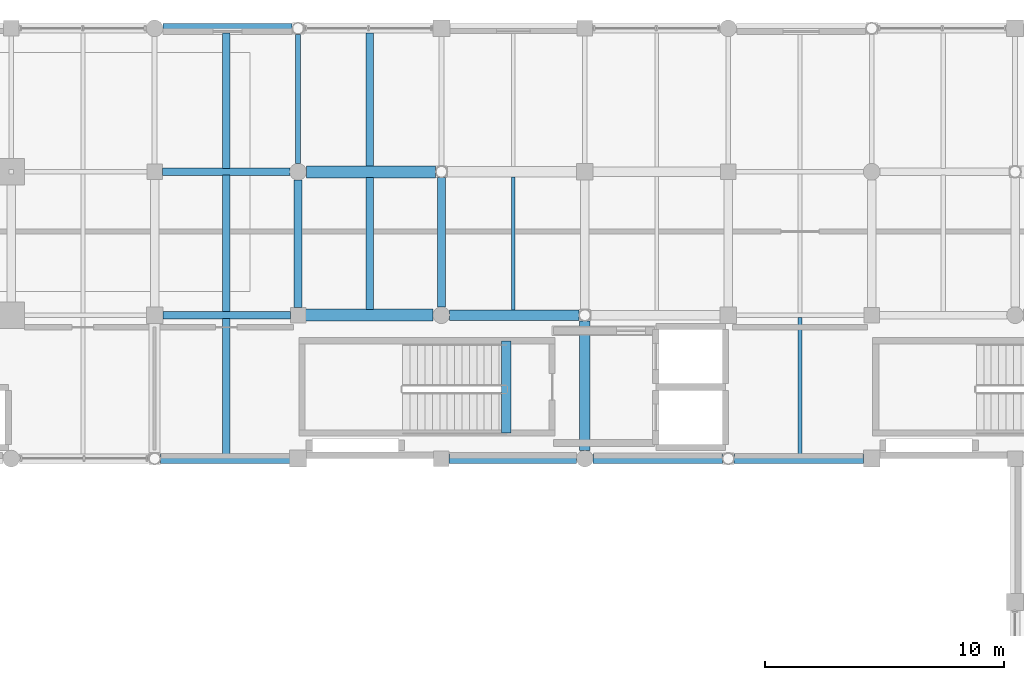
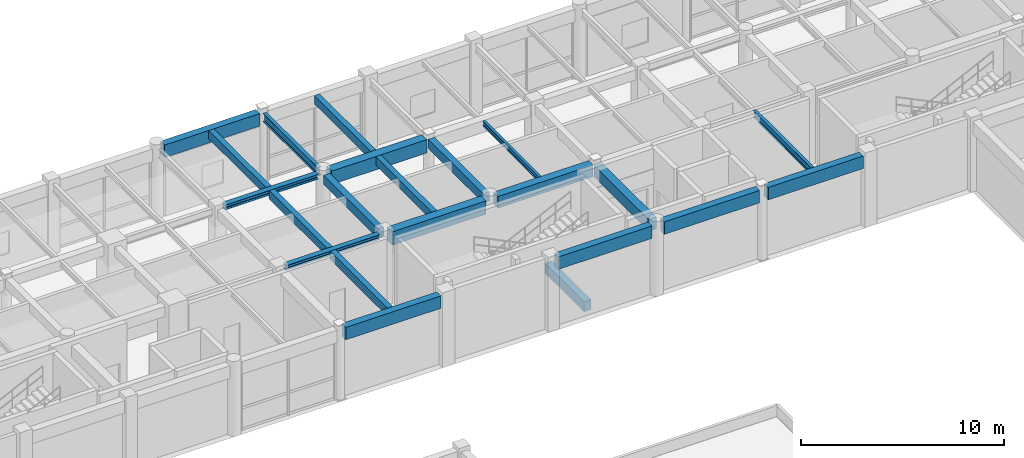
# One storey, part 67 of 116: 22 beams.
"""IFC4 building model written with IfcOpenShell, lengths in metres."""

from ifc_helpers import new_model, si_unit, direction, frame, origin, origin_2d, place, context, subcontext, project, spatial, rectangle, i_section, extrude, material, material_profile, profile_set, type_object, element, save


model = new_model("IFC4")

# Units and contexts
model_context = context("Model", 3, precision=1e-05, world=origin(), true_north=direction((0.0, 1.0)))
body_context = subcontext(model_context, "Body", "Model", "MODEL_VIEW")
ifc_project = project(units=[si_unit("LENGTHUNIT", "METRE"), si_unit("AREAUNIT", "SQUARE_METRE"), si_unit("VOLUMEUNIT", "CUBIC_METRE"), si_unit("PLANEANGLEUNIT", "RADIAN"), si_unit("MASSUNIT", "GRAM", prefix="KILO"), si_unit("THERMODYNAMICTEMPERATUREUNIT", "KELVIN"), si_unit("POWERUNIT", "WATT")], contexts=[model_context])

# Site, building, storey
site_placement = place(None, origin())
site = spatial("IfcSite", under=ifc_project, at=site_placement, CompositionType="ELEMENT")
building_placement = place(site_placement, origin())
building = spatial("IfcBuilding", under=site, at=building_placement, Name="Phaisarnlok Congress Hotel", CompositionType="ELEMENT")
storey_placement = place(building_placement, frame((0.0, 0.0, 10.5)))
storey = spatial("IfcBuildingStorey", under=building, at=storey_placement, Name="L02", CompositionType="ELEMENT", Elevation=10.5)

# Beams
ifc_material_1 = material(Name="Concrete C40/50", Category="concrete")
ifc_material_profile_1 = material_profile(ifc_material_1, rectangle(XDim=0.35009765625, YDim=0.550048828125, at=origin_2d()), Name="RC 350x550")
ifc_profile_set_1 = profile_set([ifc_material_profile_1], Name="Concrete C40/50")
beam_type_1 = type_object("IfcBeamType", Name="BM-RC-350x550", PredefinedType="BEAM", material=ifc_profile_set_1)
beam_1_placement = place(storey_placement, frame((132.0, 114.320068359375, 3.965087890625), z_axis=(0.0, 1.0, 0.0), x_axis=(-1.0, 0.0, 0.0)))
element("IfcBeam", 1, at=beam_1_placement, inside=storey, type_object=beam_type_1, Name="Beam B-01", PredefinedType="BEAM", context=body_context, shape_type="SweptSolid", body=[
    extrude(rectangle(XDim=0.35009765625, YDim=0.550048828125, at=origin_2d()), origin(), (0.0, 0.0, 1.0), 5.3349609375),
])
beam_2_placement = place(storey_placement, frame((138.0, 114.344970703125, 3.965087890625), z_axis=(0.0, 1.0, 0.0), x_axis=(-1.0, 0.0, 0.0)))
element("IfcBeam", 2, at=beam_2_placement, inside=storey, type_object=beam_type_1, Name="Beam B-01", PredefinedType="BEAM", context=body_context, shape_type="SweptSolid", body=[
    extrude(rectangle(XDim=0.35009765625, YDim=0.550048828125, at=origin_2d()), origin(), (0.0, 0.0, 1.0), 5.406005859375),
])
ifc_material_profile_2 = material_profile(ifc_material_1, rectangle(XDim=0.39990234375, YDim=0.60009765625, at=origin_2d()), Name="RC 400x600")
ifc_profile_set_2 = profile_set([ifc_material_profile_2], Name="Concrete C40/50")
beam_type_2 = type_object("IfcBeamType", Name="BM-RC-400x600", PredefinedType="BEAM", material=ifc_profile_set_2)
beam_3_placement = place(storey_placement, frame((140.719970703125, 109.080078125, -0.300048828125), z_axis=(0.0, 1.0, 0.0), x_axis=(-1.0, 0.0, 0.0)))
element("IfcBeam", 3, at=beam_3_placement, inside=storey, type_object=beam_type_2, Name="Stair landing header beam B-02 (CORE-2 L02)", PredefinedType="BEAM", context=body_context, shape_type="SweptSolid", body=[
    extrude(rectangle(XDim=0.39990234375, YDim=0.60009765625, at=origin_2d()), origin(), (0.0, 0.0, 1.0), 3.83984375),
])
ifc_material_profile_3 = material_profile(ifc_material_1, rectangle(XDim=0.449951171875, YDim=0.699951171875, at=origin_2d()), Name="RC 450x700")
ifc_profile_set_3 = profile_set([ifc_material_profile_3], Name="Concrete C40/50")
beam_type_3 = type_object("IfcBeamType", Name="BM-RC-450x700", PredefinedType="BEAM", material=ifc_profile_set_3)
for number, where, z_axis, x_axis, name in (
    (4, (138.344970703125, 114.0, 3.889892578125), (1.0, 0.0, 0.0), (0.0, 1.0, 0.0), "Beam B-03"),
    (5, (144.0, 108.344970703125, 3.889892578125), (0.0, 1.0, 0.0), (-1.0, 0.0, 0.0), "Beam B-03"),
):
    element("IfcBeam", number, at=place(storey_placement, frame(where, z_axis=z_axis, x_axis=x_axis)), inside=storey, type_object=beam_type_3, Name=name, PredefinedType="BEAM", context=body_context, shape_type="SweptSolid", body=[
        extrude(rectangle(XDim=0.449951171875, YDim=0.699951171875, at=origin_2d()), origin(), (0.0, 0.0, 1.0), 5.406005859375),
    ])
ifc_material_profile_4 = material_profile(ifc_material_1, rectangle(XDim=0.5, YDim=0.800048828125, at=origin_2d()), Name="RC 500x800")
ifc_profile_set_4 = profile_set([ifc_material_profile_4], Name="Concrete C40/50")
beam_type_4 = type_object("IfcBeamType", Name="BM-RC-500x800", PredefinedType="BEAM", material=ifc_profile_set_4)
beam_4_placement = place(storey_placement, frame((132.320068359375, 114.0, 3.840087890625), z_axis=(1.0, 0.0, 0.0), x_axis=(0.0, 1.0, 0.0)))
element("IfcBeam", 6, at=beam_4_placement, inside=storey, type_object=beam_type_4, Name="Beam B-04", PredefinedType="BEAM", context=body_context, shape_type="SweptSolid", body=[
    extrude(rectangle(XDim=0.5, YDim=0.800048828125, at=origin_2d()), origin(), (0.0, 0.0, 1.0), 5.3349609375),
])
beam_5_placement = place(storey_placement, frame((132.344970703125, 120.0, 3.840087890625), z_axis=(1.0, 0.0, 0.0), x_axis=(0.0, 1.0, 0.0)))
element("IfcBeam", 7, at=beam_5_placement, inside=storey, type_object=beam_type_4, Name="Beam B-04", PredefinedType="BEAM", context=body_context, shape_type="SweptSolid", body=[
    extrude(rectangle(XDim=0.5, YDim=0.800048828125, at=origin_2d()), origin(), (0.0, 0.0, 1.0), 5.406005859375),
])
ifc_material_2 = material(Name="Steel S355", Category="steel")
ifc_material_profile_5 = material_profile(ifc_material_2, i_section(OverallWidth=0.300048828125, OverallDepth=0.2900390625, WebThickness=0.008544921875, FlangeThickness=0.013916015625, FilletRadius=0.027099609375, at=origin_2d()), Name="HEA 300")
ifc_profile_set_5 = profile_set([ifc_material_profile_5], Name="Steel S355")
beam_type_5 = type_object("IfcBeamType", Name="BM-STL-HEA300", PredefinedType="BEAM", material=ifc_profile_set_5)
for number, where, z_axis, x_axis, name in (
    (8, (126.344970703125, 114.0, 4.094970703125), (1.0, 0.0, 0.0), (0.0, 1.0, 0.0), "Beam SB-05"),
    (9, (126.320068359375, 120.0, 4.094970703125), (1.0, 0.0, 0.0), (0.0, 1.0, 0.0), "Beam SB-05"),
):
    element("IfcBeam", number, at=place(storey_placement, frame(where, z_axis=z_axis, x_axis=x_axis)), inside=storey, type_object=beam_type_5, Name=name, PredefinedType="BEAM", context=body_context, shape_type="SweptSolid", body=[
        extrude(i_section(OverallWidth=0.300048828125, OverallDepth=0.2900390625, WebThickness=0.008544921875, FlangeThickness=0.013916015625, FilletRadius=0.027099609375, at=origin_2d()), origin(), (0.0, 0.0, 1.0), 5.3349609375),
    ])
ifc_material_profile_6 = material_profile(ifc_material_2, i_section(OverallWidth=0.199951171875, OverallDepth=0.5, WebThickness=0.01025390625, FlangeThickness=0.01611328125, FilletRadius=0.02099609375, at=origin_2d()), Name="IPE 500")
ifc_profile_set_6 = profile_set([ifc_material_profile_6], Name="Steel S355")
beam_type_6 = type_object("IfcBeamType", Name="BM-STL-IPE500", PredefinedType="BEAM", material=ifc_profile_set_6)
beam_6_placement = place(storey_placement, frame((132.0, 120.344970703125, 3.989990234375), z_axis=(0.0, 1.0, 0.0), x_axis=(-1.0, 0.0, 0.0)))
element("IfcBeam", 10, at=beam_6_placement, inside=storey, type_object=beam_type_6, Name="Beam SB-02", PredefinedType="BEAM", context=body_context, shape_type="SweptSolid", body=[
    extrude(i_section(OverallWidth=0.199951171875, OverallDepth=0.5, WebThickness=0.01025390625, FlangeThickness=0.01611328125, FilletRadius=0.02099609375, at=origin_2d()), origin(), (0.0, 0.0, 1.0), 5.406005859375),
])
ifc_material_profile_7 = material_profile(ifc_material_1, rectangle(XDim=0.300048828125, YDim=0.5, at=origin_2d()), Name="RC 300x500")
ifc_profile_set_7 = profile_set([ifc_material_profile_7], Name="Concrete C40/50")
beam_type_7 = type_object("IfcBeamType", Name="JS-RC-300x500", PredefinedType="JOIST", material=ifc_profile_set_7)
beam_7_placement = place(storey_placement, frame((129.0, 108.195068359375, 3.989990234375), z_axis=(0.0, 1.0, 0.0), x_axis=(-1.0, 0.0, 0.0)))
element("IfcBeam", 11, at=beam_7_placement, inside=storey, type_object=beam_type_7, Name="Secondary floor joist J-01", PredefinedType="JOIST", context=body_context, shape_type="SweptSolid", body=[
    extrude(rectangle(XDim=0.300048828125, YDim=0.5, at=origin_2d()), origin(), (0.0, 0.0, 1.0), 5.659912109375),
])
beam_8_placement = place(storey_placement, frame((129.0, 114.14501953125, 3.989990234375), z_axis=(0.0, 1.0, 0.0), x_axis=(-1.0, 0.0, 0.0)))
element("IfcBeam", 12, at=beam_8_placement, inside=storey, type_object=beam_type_7, Name="Secondary floor joist J-01", PredefinedType="JOIST", context=body_context, shape_type="SweptSolid", body=[
    extrude(rectangle(XDim=0.300048828125, YDim=0.5, at=origin_2d()), origin(), (0.0, 0.0, 1.0), 5.7099609375),
])
beam_9_placement = place(storey_placement, frame((129.0, 120.14501953125, 3.989990234375), z_axis=(0.0, 1.0, 0.0), x_axis=(-1.0, 0.0, 0.0)))
element("IfcBeam", 13, at=beam_9_placement, inside=storey, type_object=beam_type_7, Name="Secondary floor joist J-01", PredefinedType="JOIST", context=body_context, shape_type="SweptSolid", body=[
    extrude(rectangle(XDim=0.300048828125, YDim=0.5, at=origin_2d()), origin(), (0.0, 0.0, 1.0), 5.659912109375),
])
beam_10_placement = place(storey_placement, frame((135.0, 114.2451171875, 3.989990234375), z_axis=(0.0, 1.0, 0.0), x_axis=(-1.0, 0.0, 0.0)))
element("IfcBeam", 14, at=beam_10_placement, inside=storey, type_object=beam_type_7, Name="Secondary floor joist J-01", PredefinedType="JOIST", context=body_context, shape_type="SweptSolid", body=[
    extrude(rectangle(XDim=0.300048828125, YDim=0.5, at=origin_2d()), origin(), (0.0, 0.0, 1.0), 5.509765625),
])
beam_11_placement = place(storey_placement, frame((135.0, 120.2451171875, 3.989990234375), z_axis=(0.0, 1.0, 0.0), x_axis=(-1.0, 0.0, 0.0)))
element("IfcBeam", 15, at=beam_11_placement, inside=storey, type_object=beam_type_7, Name="Secondary floor joist J-01", PredefinedType="JOIST", context=body_context, shape_type="SweptSolid", body=[
    extrude(rectangle(XDim=0.300048828125, YDim=0.5, at=origin_2d()), origin(), (0.0, 0.0, 1.0), 5.559814453125),
])
ifc_material_profile_8 = material_profile(ifc_material_2, i_section(OverallWidth=0.14990234375, OverallDepth=0.300048828125, WebThickness=0.007080078125, FlangeThickness=0.0107421875, FilletRadius=0.014892578125, at=origin_2d()), Name="IPE 300")
ifc_profile_set_8 = profile_set([ifc_material_profile_8], Name="Steel S355")
beam_type_8 = type_object("IfcBeamType", Name="JS-STL-IPE300", PredefinedType="JOIST", material=ifc_profile_set_8)
beam_12_placement = place(storey_placement, frame((141.0, 114.219970703125, 4.090087890625), z_axis=(0.0, 1.0, 0.0), x_axis=(-1.0, 0.0, 0.0)))
element("IfcBeam", 16, at=beam_12_placement, inside=storey, type_object=beam_type_8, Name="Secondary floor joist J-03", PredefinedType="JOIST", context=body_context, shape_type="SweptSolid", body=[
    extrude(i_section(OverallWidth=0.14990234375, OverallDepth=0.300048828125, WebThickness=0.007080078125, FlangeThickness=0.0107421875, FilletRadius=0.014892578125, at=origin_2d()), origin(), (0.0, 0.0, 1.0), 5.56005859375),
])
ifc_material_profile_9 = material_profile(ifc_material_2, i_section(OverallWidth=0.179931640625, OverallDepth=0.39990234375, WebThickness=0.008544921875, FlangeThickness=0.013427734375, FilletRadius=0.02099609375, at=origin_2d()), Name="IPE 400")
ifc_profile_set_9 = profile_set([ifc_material_profile_9], Name="Steel S355")
beam_type_9 = type_object("IfcBeamType", Name="JS-STL-IPE400", PredefinedType="JOIST", material=ifc_profile_set_9)
beam_13_placement = place(storey_placement, frame((153.0, 108.195068359375, 4.0400390625), z_axis=(0.0, 1.0, 0.0), x_axis=(-1.0, 0.0, 0.0)))
element("IfcBeam", 17, at=beam_13_placement, inside=storey, type_object=beam_type_9, Name="Secondary floor joist J-05", PredefinedType="JOIST", context=body_context, shape_type="SweptSolid", body=[
    extrude(i_section(OverallWidth=0.179931640625, OverallDepth=0.39990234375, WebThickness=0.008544921875, FlangeThickness=0.013427734375, FilletRadius=0.02099609375, at=origin_2d()), origin(), (0.0, 0.0, 1.0), 5.71484375),
])
ifc_material_profile_10 = material_profile(ifc_material_1, rectangle(XDim=0.39990234375, YDim=0.75, at=origin_2d()), Name="RC 400x750")
ifc_profile_set_10 = profile_set([ifc_material_profile_10], Name="Concrete C40/50")
beam_type_10 = type_object("IfcBeamType", Name="SP-RC-400x750", PredefinedType="SPANDREL", material=ifc_profile_set_10)
for number, where, z_axis, x_axis, name in (
    (18, (126.2490234375, 108.0, 3.864990234375), (1.0, 0.0, 0.0), (0.0, 1.0, 0.0), "Beam SP-02"),
    (19, (126.344970703125, 126.0, 3.864990234375), (1.0, 0.0, 0.0), (0.0, 1.0, 0.0), "Beam SP-02"),
):
    element("IfcBeam", number, at=place(storey_placement, frame(where, z_axis=z_axis, x_axis=x_axis)), inside=storey, type_object=beam_type_10, Name=name, PredefinedType="SPANDREL", context=body_context, shape_type="SweptSolid", body=[
        extrude(rectangle(XDim=0.39990234375, YDim=0.75, at=origin_2d()), origin(), (0.0, 0.0, 1.0), 5.406005859375),
    ])
beam_14_placement = place(storey_placement, frame((138.320068359375, 108.0, 3.864990234375), z_axis=(1.0, 0.0, 0.0), x_axis=(0.0, 1.0, 0.0)))
element("IfcBeam", 20, at=beam_14_placement, inside=storey, type_object=beam_type_10, Name="Beam SP-02", PredefinedType="SPANDREL", context=body_context, shape_type="SweptSolid", body=[
    extrude(rectangle(XDim=0.39990234375, YDim=0.75, at=origin_2d()), origin(), (0.0, 0.0, 1.0), 5.3349609375),
])
for number, where, z_axis, x_axis, name in (
    (21, (144.344970703125, 108.0, 3.864990234375), (1.0, 0.0, 0.0), (0.0, 1.0, 0.0), "Beam SP-02"),
    (22, (150.2490234375, 108.0, 3.864990234375), (1.0, 0.0, 0.0), (0.0, 1.0, 0.0), "Beam SP-02"),
):
    element("IfcBeam", number, at=place(storey_placement, frame(where, z_axis=z_axis, x_axis=x_axis)), inside=storey, type_object=beam_type_10, Name=name, PredefinedType="SPANDREL", context=body_context, shape_type="SweptSolid", body=[
        extrude(rectangle(XDim=0.39990234375, YDim=0.75, at=origin_2d()), origin(), (0.0, 0.0, 1.0), 5.406005859375),
    ])

save(model, "model.ifc")
